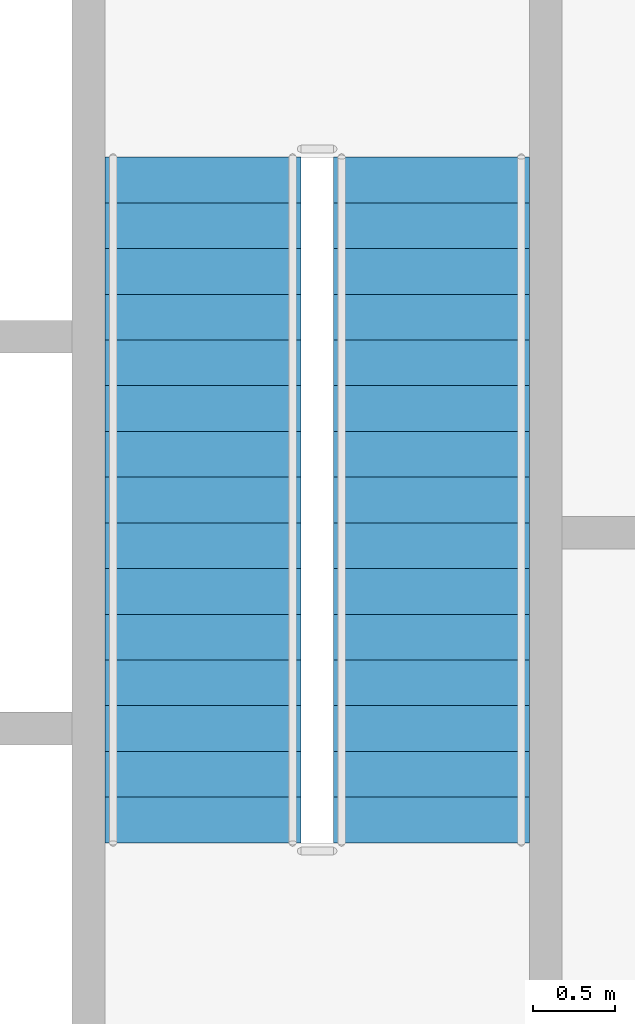
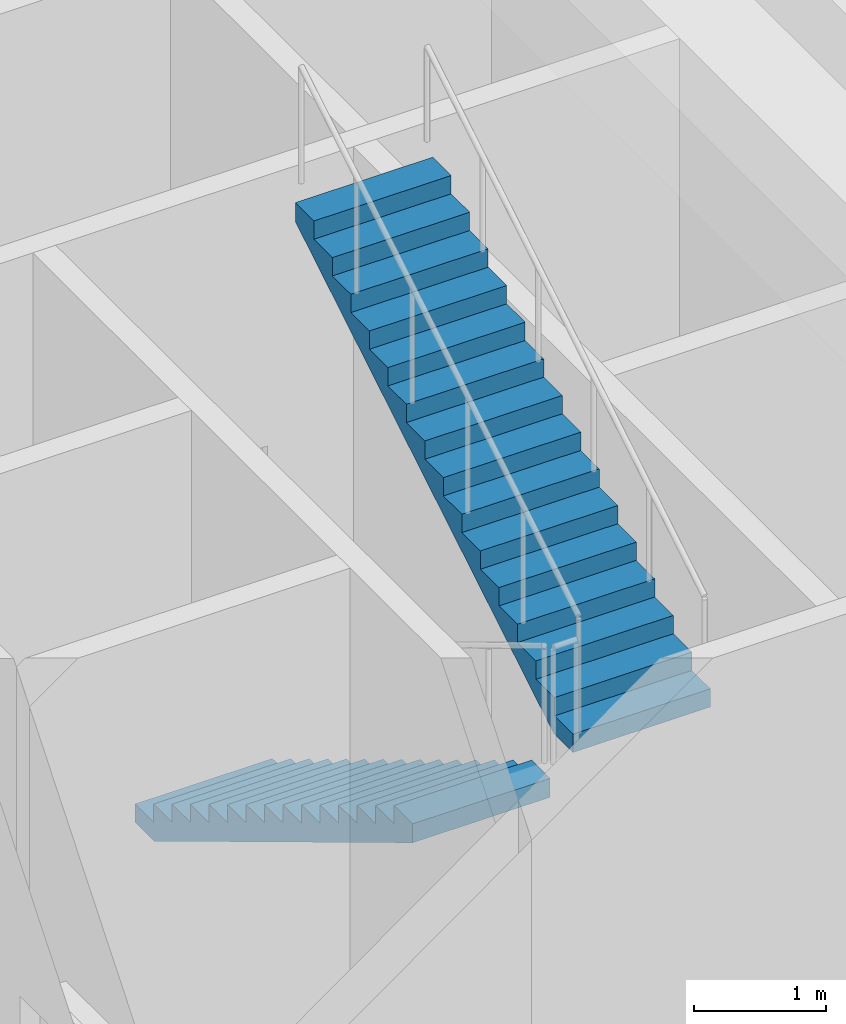
# One storey, part 7 of 14: 2 stair flights, 1 element without a shape of its own.
"""IFC4 building model written with IfcOpenShell, lengths in metres."""

import ifcopenshell
import ifcopenshell.guid

model = None  # the IFC model being written
_history = None  # IfcOwnerHistory: only IFC2X3 demands one
_inside = {}  # id of a spatial element -> (the spatial element, [elements in it])
_under = {}  # id of a project, library or spatial element -> (it, [spatial elements below it])
_declared = {}  # id of a project -> (the project, [libraries it declares])
_typed = {}  # id of a type object -> (the type object, [elements of that type])
_made_of = {}  # id of a material, layer set ... -> (it, [elements and type objects made of it])


def new_model(schema):
    """Start an empty IFC model of exactly this schema.

    Asked for "IFC4X3", IfcOpenShell would pick the latest addendum, in which some entities
    have other attributes; the version numbers below select the first issue.
    IFC2X3 requires an IfcOwnerHistory on every rooted entity: one is made here for all.
    """
    global model, _history
    if schema == "IFC4X3":
        model = ifcopenshell.file(schema_version=(4, 3, 0, 0))
    else:
        model = ifcopenshell.file(schema=schema)
    _inside.clear()
    _under.clear()
    _declared.clear()
    _typed.clear()
    _made_of.clear()
    _history = None
    if model.schema == "IFC2X3":
        org = make("IfcOrganization", Name="unknown")
        user = make(
            "IfcPersonAndOrganization",
            ThePerson=make("IfcPerson", FamilyName="unknown"),
            TheOrganization=org,
        )
        app = make(
            "IfcApplication",
            ApplicationDeveloper=org,
            Version="unknown",
            ApplicationFullName="unknown",
            ApplicationIdentifier="unknown",
        )
        _history = make(
            "IfcOwnerHistory",
            OwningUser=user,
            OwningApplication=app,
            ChangeAction="ADDED",
            CreationDate=0,
        )
    return model


def make(cls, **values):
    """One entity of the class cls with the attributes given. An attribute that is None is left unset."""
    return model.create_entity(
        cls, **{name: value for name, value in values.items() if value is not None}
    )


def rooted(cls, **values):
    """An entity with a GlobalId (a new one), such as an element, a storey or a relation."""
    return make(cls, GlobalId=ifcopenshell.guid.new(), OwnerHistory=_history, **values)


def si_unit(unit_type, name, prefix=None):
    """IfcSIUnit, for example si_unit("LENGTHUNIT", "METRE", prefix="MILLI")."""
    return make("IfcSIUnit", UnitType=unit_type, Prefix=prefix, Name=name)


def assignment(units):
    """IfcUnitAssignment: the units of a project."""
    return None if units is None else make("IfcUnitAssignment", Units=units)


def point(xyz):
    """IfcCartesianPoint."""
    return None if xyz is None else make("IfcCartesianPoint", Coordinates=xyz)


def direction(xyz):
    """IfcDirection."""
    return None if xyz is None else make("IfcDirection", DirectionRatios=xyz)


def frame(location, z_axis=None, x_axis=None):
    """IfcAxis2Placement3D, a coordinate frame: its origin and axes. An axis left out is left unset."""
    return make(
        "IfcAxis2Placement3D",
        Location=point(location),
        Axis=direction(z_axis),
        RefDirection=direction(x_axis),
    )


def origin():
    """The frame at (0, 0, 0) with its axes left unset."""
    return frame((0.0, 0.0, 0.0))


def place(relative_to, where):
    """IfcLocalPlacement: puts the frame where relative to a parent placement (None: the world)."""
    return make(
        "IfcLocalPlacement", PlacementRelTo=relative_to, RelativePlacement=where
    )


def context(
    kind, dimensions, precision=None, world=None, true_north=None, identifier=None
):
    """IfcGeometricRepresentationContext, for example the 3D "Model" context."""
    return make(
        "IfcGeometricRepresentationContext",
        ContextIdentifier=identifier,
        ContextType=kind,
        CoordinateSpaceDimension=dimensions,
        Precision=precision,
        WorldCoordinateSystem=world,
        TrueNorth=true_north,
    )


def subcontext(parent, identifier, kind, view, scale=None):
    """IfcGeometricRepresentationSubContext, for example "Body" below "Model"."""
    return make(
        "IfcGeometricRepresentationSubContext",
        ContextIdentifier=identifier,
        ContextType=kind,
        ParentContext=parent,
        TargetScale=scale,
        TargetView=view,
    )


def project(units=None, contexts=None):
    """IfcProject with its units and contexts."""
    return rooted(
        "IfcProject",
        Name="project",
        RepresentationContexts=contexts,
        UnitsInContext=assignment(units),
    )


def spatial(cls, under=None, at=None, **own):
    """A site, building, storey or space (cls), placed at a placement, below another one or the project."""
    s = rooted(cls, ObjectPlacement=at, **own)
    if under is not None:
        _under.setdefault(under.id(), (under, []))[1].append(s)
    return s


def polyline(points):
    """IfcPolyline through the points."""
    return make("IfcPolyline", Points=[point(p) for p in points])


def outline(outer, holes=None, kind="AREA"):
    """IfcArbitraryClosedProfileDef: a profile drawn as a closed curve; with holes, ...WithVoids."""
    if holes is None:
        return make("IfcArbitraryClosedProfileDef", ProfileType=kind, OuterCurve=outer)
    return make(
        "IfcArbitraryProfileDefWithVoids",
        ProfileType=kind,
        OuterCurve=outer,
        InnerCurves=holes,
    )


def extrude(swept, where, along, depth):
    """IfcExtrudedAreaSolid: the profile swept, set in the frame where, extruded along a direction by depth."""
    return make(
        "IfcExtrudedAreaSolid",
        SweptArea=swept,
        Position=where,
        ExtrudedDirection=direction(along),
        Depth=depth,
    )


def shape(context_of_items, identifier, shape_type, items):
    """IfcShapeRepresentation: the items that make up one representation, for example the "Body"."""
    return make(
        "IfcShapeRepresentation",
        ContextOfItems=context_of_items,
        RepresentationIdentifier=identifier,
        RepresentationType=shape_type,
        Items=items,
    )


def material(Name=None, Category=None):
    """IfcMaterial."""
    return make("IfcMaterial", Name=Name, Category=Category)


def made_of(thing, what):
    """Note that an element or type object is made of a material, layer set ...; save() writes the relation."""
    if what is not None:
        _made_of.setdefault(what.id(), (what, []))[1].append(thing)
    return thing


def type_object(cls, material=None, **own):
    """A type object (cls), such as IfcWallType, which elements share."""
    return made_of(rooted(cls, **own), material)


def element(
    cls,
    number,
    at=None,
    inside=None,
    cuts=None,
    type_object=None,
    material=None,
    context=None,
    identifier="Body",
    shape_type=None,
    held_by="IfcProductDefinitionShape",
    body=None,
    shapes=None,
    **own,
):
    """One element of the class cls, such as IfcWall. Its Tag is "e" and its number.

    at: its placement. inside: the storey or other place that contains it. cuts: it is an
    opening in that element (IfcRelVoidsElement). A single representation is given by context,
    identifier, shape_type and body (its items); several are given by shapes. held_by: the class
    of the entity that holds the representations. save() writes the other relations.
    """
    e = rooted(cls, Tag="e%d" % number, ObjectPlacement=at, **own)
    if body is not None:
        shapes = [shape(context, identifier, shape_type, body)]
    if shapes is not None:
        e.Representation = make(held_by, Representations=shapes)
    if inside is not None:
        _inside.setdefault(inside.id(), (inside, []))[1].append(e)
    if cuts is not None:
        rooted(
            "IfcRelVoidsElement", RelatingBuildingElement=cuts, RelatedOpeningElement=e
        )
    if type_object is not None:
        _typed.setdefault(type_object.id(), (type_object, []))[1].append(e)
    return made_of(e, material)


def aggregate(whole, parts):
    """IfcRelAggregates: a whole, such as a stair, and the parts it consists of."""
    return rooted("IfcRelAggregates", RelatingObject=whole, RelatedObjects=parts)


def save(model, path):
    """Write the relations noted so far, then the file.

    IfcRelAggregates (storeys below a building ...), IfcRelContainedInSpatialStructure (elements
    in a storey), IfcRelDefinesByType, IfcRelAssociatesMaterial and IfcRelDeclares: one each for
    every whole, place, type object, material and project.
    """
    for whole, parts in _under.values():
        aggregate(whole, parts)
    for where, things in _inside.values():
        rooted(
            "IfcRelContainedInSpatialStructure",
            RelatedElements=things,
            RelatingStructure=where,
        )
    for kind, things in _typed.values():
        rooted("IfcRelDefinesByType", RelatedObjects=things, RelatingType=kind)
    for what, things in _made_of.values():
        rooted("IfcRelAssociatesMaterial", RelatedObjects=things, RelatingMaterial=what)
    for by, libraries in _declared.values():
        rooted("IfcRelDeclares", RelatingContext=by, RelatedDefinitions=libraries)
    model.write(path)


model = new_model("IFC4")

# Units and contexts
model_context = context("Model", 3, precision=1e-05, world=origin(), true_north=direction((0.0, 1.0)))
body_context = subcontext(model_context, "Body", "Model", "MODEL_VIEW")
ifc_project = project(units=[si_unit("LENGTHUNIT", "METRE"), si_unit("AREAUNIT", "SQUARE_METRE"), si_unit("VOLUMEUNIT", "CUBIC_METRE"), si_unit("PLANEANGLEUNIT", "RADIAN"), si_unit("MASSUNIT", "GRAM", prefix="KILO")], contexts=[model_context])

# Site, building, storey
site_placement = place(None, origin())
site = spatial("IfcSite", under=ifc_project, at=site_placement, CompositionType="ELEMENT")
building_placement = place(site_placement, origin())
building = spatial("IfcBuilding", under=site, at=building_placement, Name="Kiln Ring Residences", CompositionType="ELEMENT")
storey_placement = place(building_placement, frame((0.0, 0.0, 183.5)))
storey = spatial("IfcBuildingStorey", under=building, at=storey_placement, Name="L47", CompositionType="ELEMENT", Elevation=183.5)

# Stair, stair flights
ifc_material_1 = material(Name="Concrete C40/50", Category="concrete")
stair_type = type_object("IfcStairType", Name="CORE-STAIR", PredefinedType="HALF_TURN_STAIR", material=ifc_material_1)
stair_placement = place(storey_placement, origin())
stair = element("IfcStair", 1, at=stair_placement, inside=storey, type_object=stair_type, Name="L47 stair E-STN", PredefinedType="HALF_TURN_STAIR")
ifc_material_2 = material(Name="Concrete C40/50", Category="concrete")
stair_flight_type = type_object("IfcStairFlightType", Name="CORE-STAIR-FLIGHT", PredefinedType="STRAIGHT", material=ifc_material_2)
stair_flight_1_placement = place(storey_placement, frame((21.39990234375, 8.39990234375, 0.0), z_axis=(0.0, 0.0, 1.0), x_axis=(0.0, -1.0, 0.0)))
stair_flight_1 = element("IfcStairFlight", 2, at=stair_flight_1_placement, type_object=stair_flight_type, Name="E-STN flight 1", NumberOfRisers=16, NumberOfTreads=15, PredefinedType="STRAIGHT", RiserHeight=0.16875, TreadLength=0.28, context=body_context, shape_type="SweptSolid", body=[
    extrude(outline(polyline([(0.0, 0.0), (0.0, 0.168701171875), (0.280029296875, 0.168701171875), (0.280029296875, 0.33740234375), (0.56005859375, 0.33740234375), (0.56005859375, 0.50634765625), (0.840087890625, 0.50634765625), (0.840087890625, 0.675048828125), (1.1201171875, 0.675048828125), (1.1201171875, 0.84375), (1.39990234375, 0.84375), (1.39990234375, 1.012451171875), (1.679931640625, 1.012451171875), (1.679931640625, 1.18115234375), (1.9599609375, 1.18115234375), (1.9599609375, 1.35009765625), (2.239990234375, 1.35009765625), (2.239990234375, 1.518798828125), (2.52001953125, 1.518798828125), (2.52001953125, 1.6875), (2.800048828125, 1.6875), (2.800048828125, 1.856201171875), (3.080078125, 1.856201171875), (3.080078125, 2.02490234375), (3.360107421875, 2.02490234375), (3.360107421875, 2.19384765625), (3.639892578125, 2.19384765625), (3.639892578125, 2.362548828125), (3.919921875, 2.362548828125), (3.919921875, 2.53125), (4.199951171875, 2.53125), (4.199951171875, 2.699951171875), (4.199951171875, 2.356201171875), (0.29052734375, 0.0), (0.0, 0.0)])), frame((0.0, 0.60009765625, 0.0), z_axis=(0.0, -1.0, 0.0), x_axis=(1.0, 0.0, 0.0)), (0.0, 0.0, 1.0), 1.199951171875),
])
stair_flight_2_placement = place(storey_placement, frame((22.800048828125, 4.199951171875, 2.699951171875), z_axis=(0.0, 0.0, 1.0), x_axis=(0.0, 1.0, 0.0)))
stair_flight_2 = element("IfcStairFlight", 3, at=stair_flight_2_placement, type_object=stair_flight_type, Name="E-STN flight 2", NumberOfRisers=16, NumberOfTreads=15, PredefinedType="STRAIGHT", RiserHeight=0.16875, TreadLength=0.28, context=body_context, shape_type="SweptSolid", body=[
    extrude(outline(polyline([(0.0, 0.0), (0.0, 0.168701171875), (0.280029296875, 0.168701171875), (0.280029296875, 0.33740234375), (0.56005859375, 0.33740234375), (0.56005859375, 0.50634765625), (0.840087890625, 0.50634765625), (0.840087890625, 0.675048828125), (1.1201171875, 0.675048828125), (1.1201171875, 0.84375), (1.39990234375, 0.84375), (1.39990234375, 1.012451171875), (1.679931640625, 1.012451171875), (1.679931640625, 1.18115234375), (1.9599609375, 1.18115234375), (1.9599609375, 1.35009765625), (2.239990234375, 1.35009765625), (2.239990234375, 1.518798828125), (2.52001953125, 1.518798828125), (2.52001953125, 1.6875), (2.800048828125, 1.6875), (2.800048828125, 1.856201171875), (3.080078125, 1.856201171875), (3.080078125, 2.02490234375), (3.360107421875, 2.02490234375), (3.360107421875, 2.19384765625), (3.639892578125, 2.19384765625), (3.639892578125, 2.362548828125), (3.919921875, 2.362548828125), (3.919921875, 2.53125), (4.199951171875, 2.53125), (4.199951171875, 2.699951171875), (4.199951171875, 2.356201171875), (0.29052734375, 0.0), (0.0, 0.0)])), frame((0.0, 0.60009765625, 0.0), z_axis=(0.0, -1.0, 0.0), x_axis=(1.0, 0.0, 0.0)), (0.0, 0.0, 1.0), 1.199951171875),
])
aggregate(stair, [stair_flight_1, stair_flight_2])

save(model, "model.ifc")
